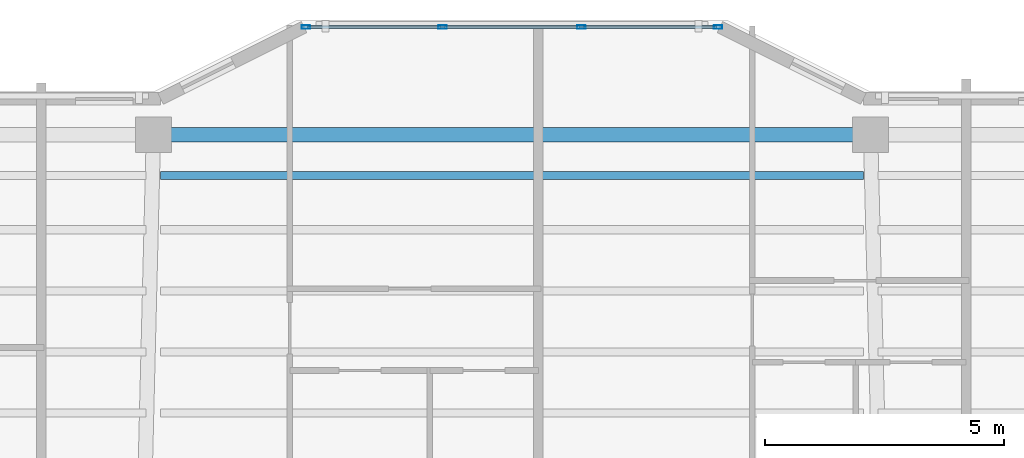
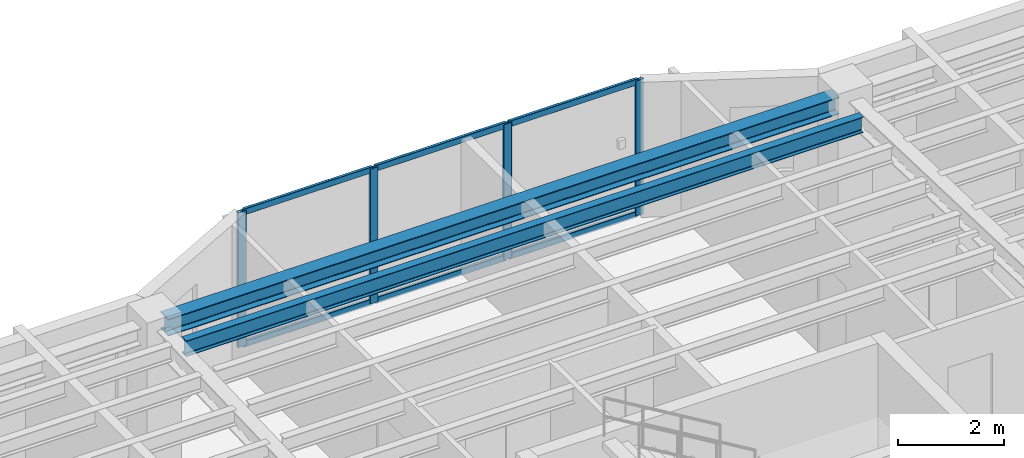
# One storey, part 2 of 12: 10 members, 2 beams, 1 element without a shape of its own.
"""IFC4 building model written with IfcOpenShell, lengths in metres."""

from ifc_helpers import new_model, si_unit, direction, frame, origin, origin_2d, place, context, subcontext, project, spatial, hollow_rectangle, i_section, extrude, material, layer, layer_set, material_profile, profile_set, type_object, element, aggregate, save


model = new_model("IFC4")

# Units and contexts
model_context = context("Model", 3, precision=1e-05, world=origin(), true_north=direction((0.0, 1.0)))
body_context = subcontext(model_context, "Body", "Model", "MODEL_VIEW")
ifc_project = project(units=[si_unit("LENGTHUNIT", "METRE"), si_unit("AREAUNIT", "SQUARE_METRE"), si_unit("VOLUMEUNIT", "CUBIC_METRE"), si_unit("PLANEANGLEUNIT", "RADIAN"), si_unit("MASSUNIT", "GRAM", prefix="KILO")], contexts=[model_context])

# Site, building, storey
site_placement = place(None, origin())
site = spatial("IfcSite", under=ifc_project, at=site_placement, CompositionType="ELEMENT")
building_placement = place(site_placement, origin())
building = spatial("IfcBuilding", under=site, at=building_placement, Name="Tarnavaz Court Tower", CompositionType="ELEMENT")
storey_placement = place(building_placement, frame((0.0, 0.0, 210.35009765625)))
storey = spatial("IfcBuildingStorey", under=building, at=storey_placement, Name="L57", CompositionType="ELEMENT", Elevation=210.35009765625)

# Beams
ifc_material_1 = material(Name="Steel S355", Category="steel")
ifc_material_profile_1 = material_profile(ifc_material_1, i_section(OverallWidth=0.169921875, OverallDepth=0.360107421875, WebThickness=0.008056640625, FlangeThickness=0.0126953125, FilletRadius=0.01806640625, at=origin_2d()), Name="IPE 360")
ifc_profile_set_1 = profile_set([ifc_material_profile_1], Name="Steel S355")
beam_type_1 = type_object("IfcBeamType", Name="BM-J-IPE360", PredefinedType="JOIST", material=ifc_profile_set_1)
beam_1_placement = place(storey_placement, frame((-7.35009765625, 19.248046875, 2.919921875), z_axis=(1.0, 0.0, 0.0), x_axis=(0.0, 1.0, 0.0)))
element("IfcBeam", 1, at=beam_1_placement, inside=storey, type_object=beam_type_1, Name="L57 Beam JN5-2", PredefinedType="JOIST", context=body_context, shape_type="SweptSolid", body=[
    extrude(i_section(OverallWidth=0.169921875, OverallDepth=0.360107421875, WebThickness=0.008056640625, FlangeThickness=0.0126953125, FilletRadius=0.01806640625, at=origin_2d()), origin(), (0.0, 0.0, 1.0), 14.7001953125),
])
ifc_material_profile_2 = material_profile(ifc_material_1, i_section(OverallWidth=0.300048828125, OverallDepth=0.389892578125, WebThickness=0.010986328125, FlangeThickness=0.01904296875, FilletRadius=0.027099609375, at=origin_2d()), Name="HEA 400")
ifc_profile_set_2 = profile_set([ifc_material_profile_2], Name="Steel S355")
beam_type_2 = type_object("IfcBeamType", Name="BM-SP-HEA400", PredefinedType="BEAM", material=ifc_profile_set_2)
beam_2_placement = place(storey_placement, frame((-7.280029296875, 20.10009765625, 2.90478515625), z_axis=(1.0, 0.0, 0.0), x_axis=(0.0, 1.0, 0.0)))
element("IfcBeam", 2, at=beam_2_placement, inside=storey, type_object=beam_type_2, Name="L57 Beam PR-PN-2-PN-3", PredefinedType="BEAM", context=body_context, shape_type="SweptSolid", body=[
    extrude(i_section(OverallWidth=0.300048828125, OverallDepth=0.389892578125, WebThickness=0.010986328125, FlangeThickness=0.01904296875, FilletRadius=0.027099609375, at=origin_2d()), origin(), (0.0, 0.0, 1.0), 14.56005859375),
])

# Curtain wall, members
ifc_material_2 = material(Name="Anodised Aluminium 6063-T6 and Solar Low-E Glazing", Category="aluminium")
ifc_layer = layer(ifc_material_2, 0.159912109375)
ifc_layer_set = layer_set([ifc_layer], Name="Anodised Aluminium 6063-T6 and Solar Low-E Glazing")
curtain_wall_type = type_object("IfcCurtainWallType", Name="CW-SYS-03", PredefinedType="NOTDEFINED", material=ifc_layer_set)
curtain_wall_placement = place(storey_placement, origin())
curtain_wall = element("IfcCurtainWall", 3, at=curtain_wall_placement, inside=storey, type_object=curtain_wall_type, Name="L57 Iwan Prow Curtain Wall 7", PredefinedType="NOTDEFINED")
ifc_material_3 = material(Name="Anodised Aluminium 6063-T6", Category="aluminium")
ifc_material_profile_3 = material_profile(ifc_material_3, hollow_rectangle(XDim=0.074951171875, YDim=0.179931640625, WallThickness=0.0048828125, InnerFilletRadius=0.0048828125, OuterFilletRadius=0.010009765625, at=origin_2d()), Name="ALU RHS 180X75X5")
ifc_profile_set_3 = profile_set([ifc_material_profile_3], Name="Anodised Aluminium 6063-T6")
member_type_1 = type_object("IfcMemberType", Name="CW-MUL-180", PredefinedType="MULLION", material=ifc_profile_set_3)
member_1_placement = place(storey_placement, frame((-4.3125, 22.35009765625, 0.0), z_axis=(0.0, 0.0, 1.0), x_axis=(0.0, 1.0, 0.0)))
member_1 = element("IfcMember", 4, at=member_1_placement, type_object=member_type_1, Name="CW mullion 1", PredefinedType="MULLION", context=body_context, shape_type="SweptSolid", body=[
    extrude(hollow_rectangle(XDim=0.074951171875, YDim=0.179931640625, WallThickness=0.0048828125, InnerFilletRadius=0.0048828125, OuterFilletRadius=0.010009765625, at=origin_2d()), origin(), (0.0, 0.0, 1.0), 3.099853515625),
])
member_2_placement = place(storey_placement, frame((-1.449951171875, 22.35009765625, 0.0), z_axis=(0.0, 0.0, 1.0), x_axis=(0.0, 1.0, 0.0)))
member_2 = element("IfcMember", 5, at=member_2_placement, type_object=member_type_1, Name="CW mullion 2", PredefinedType="MULLION", context=body_context, shape_type="SweptSolid", body=[
    extrude(hollow_rectangle(XDim=0.074951171875, YDim=0.179931640625, WallThickness=0.0048828125, InnerFilletRadius=0.0048828125, OuterFilletRadius=0.010009765625, at=origin_2d()), origin(), (0.0, 0.0, 1.0), 3.099853515625),
])
member_3_placement = place(storey_placement, frame((1.449951171875, 22.35009765625, 0.0), z_axis=(0.0, 0.0, 1.0), x_axis=(0.0, 1.0, 0.0)))
member_3 = element("IfcMember", 6, at=member_3_placement, type_object=member_type_1, Name="CW mullion 3", PredefinedType="MULLION", context=body_context, shape_type="SweptSolid", body=[
    extrude(hollow_rectangle(XDim=0.074951171875, YDim=0.179931640625, WallThickness=0.0048828125, InnerFilletRadius=0.0048828125, OuterFilletRadius=0.010009765625, at=origin_2d()), origin(), (0.0, 0.0, 1.0), 3.099853515625),
])
member_4_placement = place(storey_placement, frame((4.3125, 22.35009765625, 0.0), z_axis=(0.0, 0.0, 1.0), x_axis=(0.0, 1.0, 0.0)))
member_4 = element("IfcMember", 7, at=member_4_placement, type_object=member_type_1, Name="CW mullion 4", PredefinedType="MULLION", context=body_context, shape_type="SweptSolid", body=[
    extrude(hollow_rectangle(XDim=0.074951171875, YDim=0.179931640625, WallThickness=0.0048828125, InnerFilletRadius=0.0048828125, OuterFilletRadius=0.010009765625, at=origin_2d()), origin(), (0.0, 0.0, 1.0), 3.099853515625),
])
ifc_material_profile_4 = material_profile(ifc_material_3, hollow_rectangle(XDim=0.06494140625, YDim=0.139892578125, WallThickness=0.00390625, InnerFilletRadius=0.00390625, OuterFilletRadius=0.008056640625, at=origin_2d()), Name="ALU RHS 140X65X4")
ifc_profile_set_4 = profile_set([ifc_material_profile_4], Name="Anodised Aluminium 6063-T6")
member_type_2 = type_object("IfcMemberType", Name="CW-TRN-140", PredefinedType="USERDEFINED", material=ifc_profile_set_4)
member_5_placement = place(storey_placement, frame((-4.27490234375, 22.35009765625, 0.032470703125), z_axis=(1.0, 0.0, 0.0), x_axis=(0.0, 1.0, 0.0)))
member_5 = element("IfcMember", 8, at=member_5_placement, type_object=member_type_2, Name="CW transom 1.1", ObjectType="TRANSOM", PredefinedType="USERDEFINED", context=body_context, shape_type="SweptSolid", body=[
    extrude(hollow_rectangle(XDim=0.06494140625, YDim=0.139892578125, WallThickness=0.00390625, InnerFilletRadius=0.00390625, OuterFilletRadius=0.008056640625, at=origin_2d()), origin(), (0.0, 0.0, 1.0), 2.787353515625),
])
member_6_placement = place(storey_placement, frame((-4.27490234375, 22.35009765625, 3.0673828125), z_axis=(1.0, 0.0, 0.0), x_axis=(0.0, 1.0, 0.0)))
member_6 = element("IfcMember", 9, at=member_6_placement, type_object=member_type_2, Name="CW transom 1.2", ObjectType="TRANSOM", PredefinedType="USERDEFINED", context=body_context, shape_type="SweptSolid", body=[
    extrude(hollow_rectangle(XDim=0.06494140625, YDim=0.139892578125, WallThickness=0.00390625, InnerFilletRadius=0.00390625, OuterFilletRadius=0.008056640625, at=origin_2d()), origin(), (0.0, 0.0, 1.0), 2.787353515625),
])
member_7_placement = place(storey_placement, frame((-1.41259765625, 22.35009765625, 0.032470703125), z_axis=(1.0, 0.0, 0.0), x_axis=(0.0, 1.0, 0.0)))
member_7 = element("IfcMember", 10, at=member_7_placement, type_object=member_type_2, Name="CW transom 2.1", ObjectType="TRANSOM", PredefinedType="USERDEFINED", context=body_context, shape_type="SweptSolid", body=[
    extrude(hollow_rectangle(XDim=0.06494140625, YDim=0.139892578125, WallThickness=0.00390625, InnerFilletRadius=0.00390625, OuterFilletRadius=0.008056640625, at=origin_2d()), origin(), (0.0, 0.0, 1.0), 2.8251953125),
])
member_8_placement = place(storey_placement, frame((-1.41259765625, 22.35009765625, 3.0673828125), z_axis=(1.0, 0.0, 0.0), x_axis=(0.0, 1.0, 0.0)))
member_8 = element("IfcMember", 11, at=member_8_placement, type_object=member_type_2, Name="CW transom 2.2", ObjectType="TRANSOM", PredefinedType="USERDEFINED", context=body_context, shape_type="SweptSolid", body=[
    extrude(hollow_rectangle(XDim=0.06494140625, YDim=0.139892578125, WallThickness=0.00390625, InnerFilletRadius=0.00390625, OuterFilletRadius=0.008056640625, at=origin_2d()), origin(), (0.0, 0.0, 1.0), 2.8251953125),
])
member_9_placement = place(storey_placement, frame((1.487548828125, 22.35009765625, 0.032470703125), z_axis=(1.0, 0.0, 0.0), x_axis=(0.0, 1.0, 0.0)))
member_9 = element("IfcMember", 12, at=member_9_placement, type_object=member_type_2, Name="CW transom 3.1", ObjectType="TRANSOM", PredefinedType="USERDEFINED", context=body_context, shape_type="SweptSolid", body=[
    extrude(hollow_rectangle(XDim=0.06494140625, YDim=0.139892578125, WallThickness=0.00390625, InnerFilletRadius=0.00390625, OuterFilletRadius=0.008056640625, at=origin_2d()), origin(), (0.0, 0.0, 1.0), 2.787353515625),
])
member_10_placement = place(storey_placement, frame((1.487548828125, 22.35009765625, 3.0673828125), z_axis=(1.0, 0.0, 0.0), x_axis=(0.0, 1.0, 0.0)))
member_10 = element("IfcMember", 13, at=member_10_placement, type_object=member_type_2, Name="CW transom 3.2", ObjectType="TRANSOM", PredefinedType="USERDEFINED", context=body_context, shape_type="SweptSolid", body=[
    extrude(hollow_rectangle(XDim=0.06494140625, YDim=0.139892578125, WallThickness=0.00390625, InnerFilletRadius=0.00390625, OuterFilletRadius=0.008056640625, at=origin_2d()), origin(), (0.0, 0.0, 1.0), 2.787353515625),
])
aggregate(curtain_wall, [member_1, member_2, member_3, member_4, member_5, member_6, member_7, member_8, member_9, member_10])

save(model, "model.ifc")
